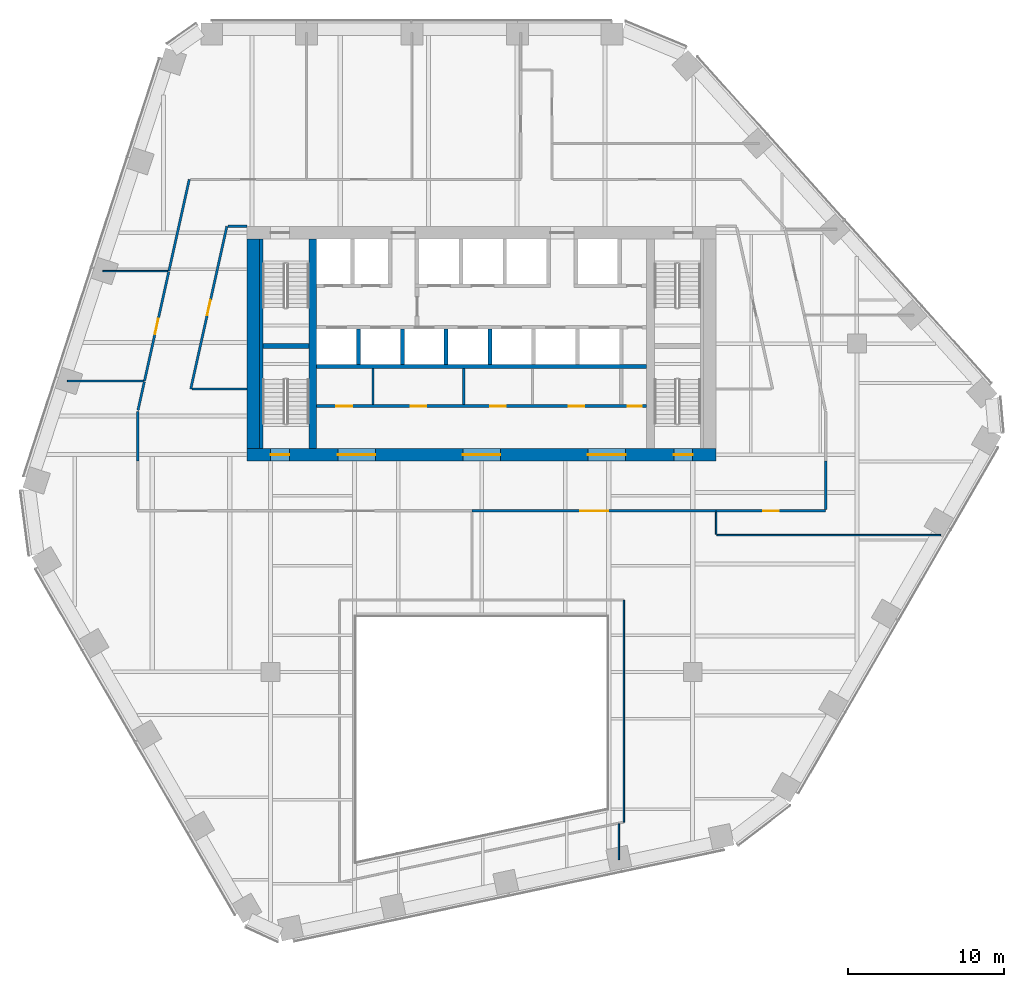
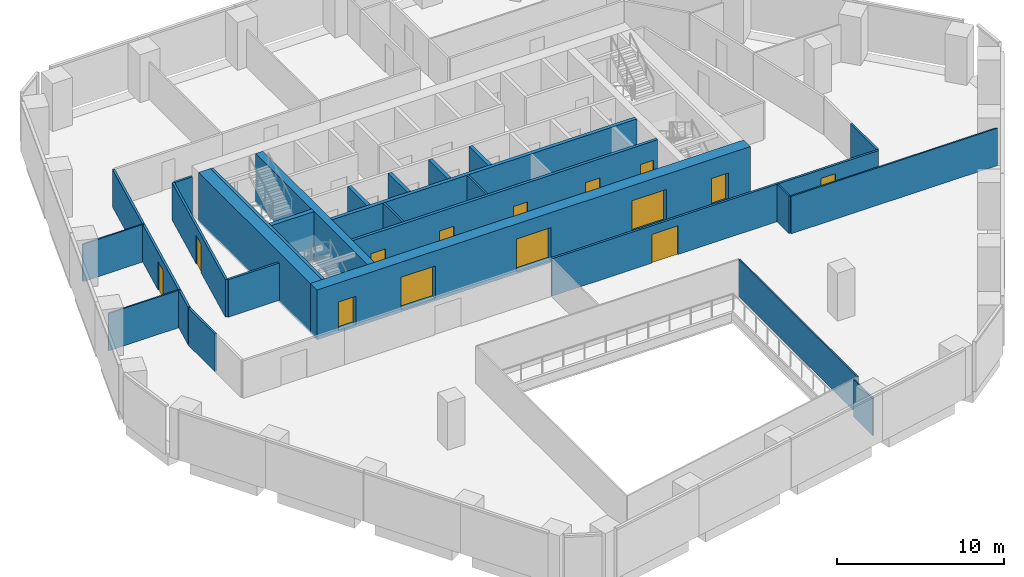
# One storey, part 11 of 16: 29 walls, 14 doors, 14 openings.
"""IFC4 building model written with IfcOpenShell, lengths in metres."""

from ifc_helpers import new_model, si_unit, direction, frame, frame_2d, origin, place, context, subcontext, project, spatial, rectangle, extrude, material, layer, layer_set, type_object, element, fill, save


model = new_model("IFC4")

# Units and contexts
model_context = context("Model", 3, precision=1e-05, world=origin(), true_north=direction((0.0, 1.0)))
body_context = subcontext(model_context, "Body", "Model", "MODEL_VIEW")
ifc_project = project(units=[si_unit("LENGTHUNIT", "METRE"), si_unit("AREAUNIT", "SQUARE_METRE"), si_unit("VOLUMEUNIT", "CUBIC_METRE"), si_unit("PLANEANGLEUNIT", "RADIAN"), si_unit("MASSUNIT", "GRAM", prefix="KILO")], contexts=[model_context])

# Site, building, storey
site_placement = place(None, origin())
site = spatial("IfcSite", under=ifc_project, at=site_placement, CompositionType="ELEMENT")
building_placement = place(site_placement, origin())
building = spatial("IfcBuilding", under=site, at=building_placement, Name="Isthmus Gate Tower", CompositionType="ELEMENT")
storey_placement = place(building_placement, frame((0.0, 0.0, 140.75)))
storey = spatial("IfcBuildingStorey", under=building, at=storey_placement, Name="L34", CompositionType="ELEMENT", Elevation=140.75)

# Wall
ifc_material_1 = material(Name="Fire-rated laminated glass in steel frame", Category="steel")
ifc_layer_1 = layer(ifc_material_1, 0.10009765625)
ifc_layer_set_1 = layer_set([ifc_layer_1], Name="ATRIUM SCREEN GLAZED WALL 100 120 MIN")
wall_type_1 = type_object("IfcWallType", Name="ATRIUM SCREEN GLAZED WALL 100 120 MIN", PredefinedType="PARTITIONING", material=ifc_layer_set_1)
wall_1_placement = place(storey_placement, frame((9.10009765625, -8.89990234375, 0.0), z_axis=(0.0, 0.0, 1.0), x_axis=(0.0, -1.0, 0.0)))
element("IfcWall", 1, at=wall_1_placement, inside=storey, type_object=wall_type_1, Name="L34 atrium screen", PredefinedType="PARTITIONING", context=body_context, shape_type="SweptSolid", body=[
    extrude(rectangle(XDim=14.200927734375, YDim=0.10009765625, at=frame_2d((7.1005859375, 0.0))), origin(), (0.0, 0.0, 1.0), 2.7412109375),
])

# Wall, opening, door
ifc_material_2 = material(Name="Gypsum board on steel studs, fire-rated", Category="steel")
ifc_layer_2 = layer(ifc_material_2, 0.14990234375)
ifc_layer_set_2 = layer_set([ifc_layer_2], Name="CORRIDOR WALL 150 60 MIN")
wall_type_2 = type_object("IfcWallType", Name="CORRIDOR WALL 150 60 MIN", PredefinedType="PARTITIONING", material=ifc_layer_set_2)
wall_2_placement = place(storey_placement, frame((15.0, -3.199951171875, 0.0), z_axis=(0.0, 0.0, 1.0), x_axis=(-1.0, 0.0, 0.0)))
wall_2 = element("IfcWall", 2, at=wall_2_placement, inside=storey, type_object=wall_type_2, Name="L34 Corridor Wall 150 60 Min", PredefinedType="PARTITIONING", context=body_context, shape_type="SweptSolid", body=[
    extrude(rectangle(XDim=15.616943359375, YDim=0.14990234375, at=frame_2d((7.80859375, 0.0))), origin(), (0.0, 0.0, 1.0), 2.7412109375),
])
opening_1_placement = place(wall_2_placement, frame((6.908447265625, 0.0, 0.0)))
opening_1 = element("IfcOpeningElement", 3, at=opening_1_placement, cuts=wall_2, Name="Opening DT-T3B-13", PredefinedType="OPENING", context=body_context, shape_type="SweptSolid", body=[
    extrude(rectangle(XDim=1.800048828125, YDim=2.10009765625, at=frame_2d((0.89990234375, 1.050048828125))), frame((0.0, 0.0849609375, 0.0), z_axis=(0.0, -1.0, 0.0), x_axis=(1.0, 0.0, 0.0)), (0.0, 0.0, 1.0), 0.169921875),
])
ifc_material_3 = material(Name="Solid core timber door leaf, fire-rated", Category="wood")
door_type_1 = type_object("IfcDoorType", Name="FIRE DOOR ROOM 1800 X 2100 60 MIN", OperationType="DOUBLE_DOOR_DOUBLE_SWING", PredefinedType="DOOR", material=ifc_material_3)
door_1_placement = place(opening_1_placement, origin())
door_1 = element("IfcDoor", 4, at=door_1_placement, inside=storey, type_object=door_type_1, Name="L34 room door", OperationType="DOUBLE_DOOR_DOUBLE_SWING", OverallHeight=2.10009765625, OverallWidth=1.800048828125, PredefinedType="DOOR", context=body_context, shape_type="SweptSolid", body=[
    extrude(rectangle(XDim=1.800048828125, YDim=2.10009765625, at=frame_2d((0.89990234375, 1.050048828125))), frame((0.0, 0.02490234375, 0.0), z_axis=(0.0, -1.0, 0.0), x_axis=(1.0, 0.0, 0.0)), (0.0, 0.0, 1.0), 0.050048828125),
])
fill(opening_1, door_1)

wall_3_placement = place(storey_placement, frame((22.0, -3.199951171875, 0.0), z_axis=(0.0, 0.0, 1.0), x_axis=(-1.0, 0.0, 0.0)))
wall_3 = element("IfcWall", 5, at=wall_3_placement, inside=storey, type_object=wall_type_2, Name="L34 Corridor Wall 150 60 Min", PredefinedType="PARTITIONING", context=body_context, shape_type="SweptSolid", body=[
    extrude(rectangle(XDim=7.0, YDim=0.14990234375, at=frame_2d((3.5, 0.0))), origin(), (0.0, 0.0, 1.0), 2.7412109375),
])
opening_2_placement = place(wall_3_placement, frame((3.0, 0.0, 0.0)))
opening_2 = element("IfcOpeningElement", 6, at=opening_2_placement, cuts=wall_3, Name="Opening DT-T3B-10", PredefinedType="OPENING", context=body_context, shape_type="SweptSolid", body=[
    extrude(rectangle(XDim=1.0, YDim=2.10009765625, at=frame_2d((0.5, 1.050048828125))), frame((0.0, 0.0849609375, 0.0), z_axis=(0.0, -1.0, 0.0), x_axis=(1.0, 0.0, 0.0)), (0.0, 0.0, 1.0), 0.169921875),
])
ifc_material_4 = material(Name="Solid core timber door leaf, fire-rated", Category="wood")
door_type_2 = type_object("IfcDoorType", Name="FIRE DOOR ROOM 1000 X 2100 60 MIN", OperationType="SINGLE_SWING_LEFT", PredefinedType="DOOR", material=ifc_material_4)
door_2_placement = place(opening_2_placement, origin())
door_2 = element("IfcDoor", 7, at=door_2_placement, inside=storey, type_object=door_type_2, Name="L34 room door", OperationType="SINGLE_SWING_RIGHT", OverallHeight=2.10009765625, OverallWidth=1.0, PredefinedType="DOOR", context=body_context, shape_type="SweptSolid", body=[
    extrude(rectangle(XDim=1.0, YDim=2.10009765625, at=frame_2d((0.5, 1.050048828125))), frame((0.0, 0.02490234375, 0.0), z_axis=(0.0, -1.0, 0.0), x_axis=(1.0, 0.0, 0.0)), (0.0, 0.0, 1.0), 0.050048828125),
])
fill(opening_2, door_2)

# Wall
wall_4_placement = place(storey_placement, frame((22.0, 0.0, 0.0), z_axis=(0.0, 0.0, 1.0), x_axis=(0.0, -1.0, 0.0)))
element("IfcWall", 8, at=wall_4_placement, inside=storey, type_object=wall_type_2, Name="L34 Corridor Wall 150 60 Min", PredefinedType="PARTITIONING", context=body_context, shape_type="SweptSolid", body=[
    extrude(rectangle(XDim=3.125, YDim=0.14990234375, at=frame_2d((1.5625, 0.0))), origin(), (0.0, 0.0, 1.0), 2.7412109375),
])

# Wall, opening, door
wall_5_placement = place(storey_placement, frame((-16.297119140625, 15.0, 0.0), z_axis=(0.0, 0.0, 1.0), x_axis=(-0.216903766867, -0.976192991124, 0.0)))
wall_5 = element("IfcWall", 9, at=wall_5_placement, inside=storey, type_object=wall_type_2, Name="L34 Corridor Wall 150 60 Min", PredefinedType="PARTITIONING", context=body_context, shape_type="SweptSolid", body=[
    extrude(rectangle(XDim=10.653564453125, YDim=0.14990234375, at=frame_2d((5.32666015625, 0.0))), origin(), (0.0, 0.0, 1.0), 2.7412109375),
])
opening_3_placement = place(wall_5_placement, frame((4.826904296875, 0.0, 0.0)))
opening_3 = element("IfcOpeningElement", 10, at=opening_3_placement, cuts=wall_5, Name="Opening DT-T3B-08", PredefinedType="OPENING", context=body_context, shape_type="SweptSolid", body=[
    extrude(rectangle(XDim=1.0, YDim=2.10009765625, at=frame_2d((0.5, 1.050048828125))), frame((0.0, 0.0849609375, 0.0), z_axis=(0.0, -1.0, 0.0), x_axis=(1.0, 0.0, 0.0)), (0.0, 0.0, 1.0), 0.169921875),
])
door_3_placement = place(opening_3_placement, origin())
door_3 = element("IfcDoor", 11, at=door_3_placement, inside=storey, type_object=door_type_2, Name="L34 room door", OperationType="SINGLE_SWING_RIGHT", OverallHeight=2.10009765625, OverallWidth=1.0, PredefinedType="DOOR", context=body_context, shape_type="SweptSolid", body=[
    extrude(rectangle(XDim=1.0, YDim=2.10009765625, at=frame_2d((0.5, 1.050048828125))), frame((0.0, 0.02490234375, 0.0), z_axis=(0.0, -1.0, 0.0), x_axis=(1.0, 0.0, 0.0)), (0.0, 0.0, 1.0), 0.050048828125),
])
fill(opening_3, door_3)

# Walls
wall_6_placement = place(storey_placement, frame((-15.0, 15.0, 0.0), z_axis=(0.0, 0.0, 1.0), x_axis=(-1.0, 0.0, 0.0)))
element("IfcWall", 12, at=wall_6_placement, inside=storey, type_object=wall_type_2, Name="L34 Corridor Wall 150 60 Min", PredefinedType="PARTITIONING", context=body_context, shape_type="SweptSolid", body=[
    extrude(rectangle(XDim=1.221923828125, YDim=0.14990234375, at=frame_2d((0.61083984375, 0.0))), origin(), (0.0, 0.0, 1.0), 2.7412109375),
])
wall_7_placement = place(storey_placement, frame((-20.0048828125, 12.14111328125, 0.0), z_axis=(0.0, 0.0, 1.0), x_axis=(0.216934764879, 0.976186103049, 0.0)))
element("IfcWall", 13, at=wall_7_placement, inside=storey, type_object=wall_type_2, Name="L34 Corridor Wall 150 60 Min", PredefinedType="PARTITIONING", context=body_context, shape_type="SweptSolid", body=[
    extrude(rectangle(XDim=6.001708984375, YDim=0.14990234375, at=frame_2d((3.0009765625, 0.0))), origin(), (0.0, 0.0, 1.0), 2.7412109375),
])

# Wall, opening, door
wall_8_placement = place(storey_placement, frame((-21.56689453125, 5.111083984375, 0.0), z_axis=(0.0, 0.0, 1.0), x_axis=(0.216883466585, 0.976197501494, 0.0)))
wall_8 = element("IfcWall", 14, at=wall_8_placement, inside=storey, type_object=wall_type_2, Name="L34 Corridor Wall 150 60 Min", PredefinedType="PARTITIONING", context=body_context, shape_type="SweptSolid", body=[
    extrude(rectangle(XDim=7.1513671875, YDim=0.14990234375, at=frame_2d((3.57568359375, 0.0))), origin(), (0.0, 0.0, 1.0), 2.7412109375),
])
opening_4_placement = place(wall_8_placement, frame((3.07568359375, 0.0, 0.0)))
opening_4 = element("IfcOpeningElement", 15, at=opening_4_placement, cuts=wall_8, Name="Opening DT-T3B-07", PredefinedType="OPENING", context=body_context, shape_type="SweptSolid", body=[
    extrude(rectangle(XDim=1.0, YDim=2.10009765625, at=frame_2d((0.5, 1.050048828125))), frame((0.0, 0.0849609375, 0.0), z_axis=(0.0, -1.0, 0.0), x_axis=(1.0, 0.0, 0.0)), (0.0, 0.0, 1.0), 0.169921875),
])
door_4_placement = place(opening_4_placement, origin())
door_4 = element("IfcDoor", 16, at=door_4_placement, inside=storey, type_object=door_type_2, Name="L34 room door", OperationType="SINGLE_SWING_RIGHT", OverallHeight=2.10009765625, OverallWidth=1.0, PredefinedType="DOOR", context=body_context, shape_type="SweptSolid", body=[
    extrude(rectangle(XDim=1.0, YDim=2.10009765625, at=frame_2d((0.5, 1.050048828125))), frame((0.0, 0.02490234375, 0.0), z_axis=(0.0, -1.0, 0.0), x_axis=(1.0, 0.0, 0.0)), (0.0, 0.0, 1.0), 0.050048828125),
])
fill(opening_4, door_4)

# Walls
wall_9_placement = place(storey_placement, frame((-18.532958984375, 4.60009765625, 0.0), z_axis=(0.0, 0.0, 1.0), x_axis=(1.0, 0.0, 0.0)))
element("IfcWall", 17, at=wall_9_placement, inside=storey, type_object=wall_type_2, Name="L34 Corridor Wall 150 60 Min", PredefinedType="PARTITIONING", context=body_context, shape_type="SweptSolid", body=[
    extrude(rectangle(XDim=3.532958984375, YDim=0.14990234375, at=frame_2d((1.7666015625, 0.0))), origin(), (0.0, 0.0, 1.0), 2.7412109375),
])
wall_10_placement = place(storey_placement, frame((-22.0, 0.0, 0.0), z_axis=(0.0, 0.0, 1.0), x_axis=(0.0, 1.0, 0.0)))
element("IfcWall", 18, at=wall_10_placement, inside=storey, type_object=wall_type_2, Name="L34 Corridor Wall 150 60 Min", PredefinedType="PARTITIONING", context=body_context, shape_type="SweptSolid", body=[
    extrude(rectangle(XDim=3.1650390625, YDim=0.14990234375, at=frame_2d((1.58251953125, 0.0))), origin(), (0.0, 0.0, 1.0), 2.7412109375),
])
wall_11_placement = place(storey_placement, frame((-21.983642578125, 3.23828125, 0.0), z_axis=(0.0, 0.0, 1.0), x_axis=(0.217151800435, 0.976137846601, 0.0)))
element("IfcWall", 19, at=wall_11_placement, inside=storey, type_object=wall_type_2, Name="L34 Corridor Wall 150 60 Min", PredefinedType="PARTITIONING", context=body_context, shape_type="SweptSolid", body=[
    extrude(rectangle(XDim=1.86865234375, YDim=0.14990234375, at=frame_2d((0.934326171875, 0.0))), origin(), (0.0, 0.0, 1.0), 2.7412109375),
])
ifc_material_5 = material(Name="Concrete f'c 60 MPa", Category="concrete")
ifc_layer_3 = layer(ifc_material_5, 0.5)
ifc_layer_set_3 = layer_set([ifc_layer_3], Name="RC CORE SPINE WALL 500 F'C 60")
wall_type_3 = type_object("IfcWallType", Name="RC CORE SPINE WALL 500 F'C 60", PredefinedType="SOLIDWALL", material=ifc_layer_set_3)
wall_12_placement = place(storey_placement, frame((-10.800048828125, 0.800048828125, -0.14990234375), z_axis=(0.0, 0.0, 1.0), x_axis=(0.0, 1.0, 0.0)))
element("IfcWall", 20, at=wall_12_placement, inside=storey, type_object=wall_type_3, Name="str-corewall-L34-SPW", PredefinedType="SOLIDWALL", context=body_context, shape_type="SweptSolid", body=[
    extrude(rectangle(XDim=13.39990234375, YDim=0.5, at=frame_2d((6.699951171875, 0.0))), origin(), (0.0, 0.0, 1.0), 3.64990234375),
])

# Wall, openings, doors
ifc_material_6 = material(Name="Concrete f'c 60 MPa", Category="concrete")
ifc_layer_4 = layer(ifc_material_6, 0.800048828125)
ifc_layer_set_4 = layer_set([ifc_layer_4], Name="RC CORE WALL 800 F'C 60")
wall_type_4 = type_object("IfcWallType", Name="RC CORE WALL 800 F'C 60", PredefinedType="SOLIDWALL", material=ifc_layer_set_4)
wall_13_placement = place(storey_placement, frame((-15.0, 0.39990234375, -0.14990234375), z_axis=(0.0, 0.0, 1.0), x_axis=(1.0, 0.0, 0.0)))
wall_13 = element("IfcWall", 21, at=wall_13_placement, inside=storey, type_object=wall_type_4, Name="str-corewall-L34-S", PredefinedType="SOLIDWALL", context=body_context, shape_type="SweptSolid", body=[
    extrude(rectangle(XDim=30.0, YDim=0.800048828125, at=frame_2d((15.0, 0.0))), origin(), (0.0, 0.0, 1.0), 3.64990234375),
])
opening_5_placement = place(wall_13_placement, frame((5.800048828125, 0.0, 0.14990234375)))
opening_5 = element("IfcOpeningElement", 22, at=opening_5_placement, cuts=wall_13, Name="Opening DC-A13-09", PredefinedType="OPENING", context=body_context, shape_type="SweptSolid", body=[
    extrude(rectangle(XDim=2.39990234375, YDim=2.39990234375, at=frame_2d((1.199951171875, 1.199951171875))), frame((0.0, 0.409912109375, 0.0), z_axis=(0.0, -1.0, 0.0), x_axis=(1.0, 0.0, 0.0)), (0.0, 0.0, 1.0), 0.820068359375),
])
opening_6_placement = place(wall_13_placement, frame((13.800048828125, 0.0, 0.14990234375)))
opening_6 = element("IfcOpeningElement", 23, at=opening_6_placement, cuts=wall_13, Name="Opening DC-A13-10", PredefinedType="OPENING", context=body_context, shape_type="SweptSolid", body=[
    extrude(rectangle(XDim=2.39990234375, YDim=2.39990234375, at=frame_2d((1.199951171875, 1.199951171875))), frame((0.0, 0.409912109375, 0.0), z_axis=(0.0, -1.0, 0.0), x_axis=(1.0, 0.0, 0.0)), (0.0, 0.0, 1.0), 0.820068359375),
])
opening_7_placement = place(wall_13_placement, frame((21.800048828125, 0.0, 0.14990234375)))
opening_7 = element("IfcOpeningElement", 24, at=opening_7_placement, cuts=wall_13, Name="Opening DC-A13-11", PredefinedType="OPENING", context=body_context, shape_type="SweptSolid", body=[
    extrude(rectangle(XDim=2.39990234375, YDim=2.39990234375, at=frame_2d((1.199951171875, 1.199951171875))), frame((0.0, 0.409912109375, 0.0), z_axis=(0.0, -1.0, 0.0), x_axis=(1.0, 0.0, 0.0)), (0.0, 0.0, 1.0), 0.820068359375),
])
opening_8_placement = place(wall_13_placement, frame((1.5, 0.0, 0.14990234375)))
opening_8 = element("IfcOpeningElement", 25, at=opening_8_placement, cuts=wall_13, Name="Opening DC-A13-16", PredefinedType="OPENING", context=body_context, shape_type="SweptSolid", body=[
    extrude(rectangle(XDim=1.199951171875, YDim=2.10009765625, at=frame_2d((0.60009765625, 1.050048828125))), frame((0.0, 0.409912109375, 0.0), z_axis=(0.0, -1.0, 0.0), x_axis=(1.0, 0.0, 0.0)), (0.0, 0.0, 1.0), 0.820068359375),
])
opening_9_placement = place(wall_13_placement, frame((27.300048828125, 0.0, 0.14990234375)))
opening_9 = element("IfcOpeningElement", 26, at=opening_9_placement, cuts=wall_13, Name="Opening DC-A13-17", PredefinedType="OPENING", context=body_context, shape_type="SweptSolid", body=[
    extrude(rectangle(XDim=1.199951171875, YDim=2.10009765625, at=frame_2d((0.60009765625, 1.050048828125))), frame((0.0, 0.409912109375, 0.0), z_axis=(0.0, -1.0, 0.0), x_axis=(1.0, 0.0, 0.0)), (0.0, 0.0, 1.0), 0.820068359375),
])
ifc_material_7 = material(Name="Laminated safety glass in steel frame, fire-rated", Category="steel")
door_type_3 = type_object("IfcDoorType", Name="LOBBY ENTRANCE FIRE DOOR 2400 X 2400 60 MIN", OperationType="DOUBLE_DOOR_DOUBLE_SWING", PredefinedType="DOOR", material=ifc_material_7)
door_5_placement = place(opening_5_placement, origin())
door_5 = element("IfcDoor", 27, at=door_5_placement, inside=storey, type_object=door_type_3, Name="Lobby Entrance PS-W", OperationType="DOUBLE_DOOR_DOUBLE_SWING", OverallHeight=2.39990234375, OverallWidth=2.39990234375, PredefinedType="DOOR", context=body_context, shape_type="SweptSolid", body=[
    extrude(rectangle(XDim=2.39990234375, YDim=2.39990234375, at=frame_2d((1.199951171875, 1.199951171875))), frame((0.0, 0.02490234375, 0.0), z_axis=(0.0, -1.0, 0.0), x_axis=(1.0, 0.0, 0.0)), (0.0, 0.0, 1.0), 0.050048828125),
])
fill(opening_5, door_5)
door_6_placement = place(opening_6_placement, origin())
door_6 = element("IfcDoor", 28, at=door_6_placement, inside=storey, type_object=door_type_3, Name="Lobby Entrance PS-C", OperationType="DOUBLE_DOOR_DOUBLE_SWING", OverallHeight=2.39990234375, OverallWidth=2.39990234375, PredefinedType="DOOR", context=body_context, shape_type="SweptSolid", body=[
    extrude(rectangle(XDim=2.39990234375, YDim=2.39990234375, at=frame_2d((1.199951171875, 1.199951171875))), frame((0.0, 0.02490234375, 0.0), z_axis=(0.0, -1.0, 0.0), x_axis=(1.0, 0.0, 0.0)), (0.0, 0.0, 1.0), 0.050048828125),
])
fill(opening_6, door_6)
door_7_placement = place(opening_7_placement, origin())
door_7 = element("IfcDoor", 29, at=door_7_placement, inside=storey, type_object=door_type_3, Name="Lobby Entrance PS-E", OperationType="DOUBLE_DOOR_DOUBLE_SWING", OverallHeight=2.39990234375, OverallWidth=2.39990234375, PredefinedType="DOOR", context=body_context, shape_type="SweptSolid", body=[
    extrude(rectangle(XDim=2.39990234375, YDim=2.39990234375, at=frame_2d((1.199951171875, 1.199951171875))), frame((0.0, 0.02490234375, 0.0), z_axis=(0.0, -1.0, 0.0), x_axis=(1.0, 0.0, 0.0)), (0.0, 0.0, 1.0), 0.050048828125),
])
fill(opening_7, door_7)
ifc_material_8 = material(Name="Steel door leaf, fire-rated", Category="steel")
door_type_4 = type_object("IfcDoorType", Name="STAIR FIRE DOOR 1200 X 2100 90 MIN", OperationType="SINGLE_SWING_LEFT", PredefinedType="DOOR", material=ifc_material_8)
door_8_placement = place(opening_8_placement, origin())
door_8 = element("IfcDoor", 30, at=door_8_placement, inside=storey, type_object=door_type_4, Name="Exit Stair 7 Door", OperationType="SINGLE_SWING_LEFT", OverallHeight=2.10009765625, OverallWidth=1.199951171875, PredefinedType="DOOR", context=body_context, shape_type="SweptSolid", body=[
    extrude(rectangle(XDim=1.199951171875, YDim=2.10009765625, at=frame_2d((0.60009765625, 1.050048828125))), frame((0.0, 0.02490234375, 0.0), z_axis=(0.0, -1.0, 0.0), x_axis=(1.0, 0.0, 0.0)), (0.0, 0.0, 1.0), 0.050048828125),
])
fill(opening_8, door_8)
door_9_placement = place(opening_9_placement, origin())
door_9 = element("IfcDoor", 31, at=door_9_placement, inside=storey, type_object=door_type_4, Name="Exit Stair 8 Door", OperationType="SINGLE_SWING_RIGHT", OverallHeight=2.10009765625, OverallWidth=1.199951171875, PredefinedType="DOOR", context=body_context, shape_type="SweptSolid", body=[
    extrude(rectangle(XDim=1.199951171875, YDim=2.10009765625, at=frame_2d((0.60009765625, 1.050048828125))), frame((0.0, 0.02490234375, 0.0), z_axis=(0.0, -1.0, 0.0), x_axis=(1.0, 0.0, 0.0)), (0.0, 0.0, 1.0), 0.050048828125),
])
fill(opening_9, door_9)

# Walls
wall_14_placement = place(storey_placement, frame((-14.60009765625, 0.800048828125, -0.14990234375), z_axis=(0.0, 0.0, 1.0), x_axis=(0.0, 1.0, 0.0)))
element("IfcWall", 32, at=wall_14_placement, inside=storey, type_object=wall_type_4, Name="str-corewall-L34-W", PredefinedType="SOLIDWALL", context=body_context, shape_type="SweptSolid", body=[
    extrude(rectangle(XDim=13.39990234375, YDim=0.800048828125, at=frame_2d((6.699951171875, 0.0))), origin(), (0.0, 0.0, 1.0), 3.64990234375),
])
ifc_material_9 = material(Name="Gypsum board on steel studs, fire-rated", Category="steel")
ifc_layer_5 = layer(ifc_material_9, 0.10009765625)
ifc_layer_set_5 = layer_set([ifc_layer_5], Name="ROOM PARTITION 100 30 MIN")
wall_type_5 = type_object("IfcWallType", Name="ROOM PARTITION 100 30 MIN", PredefinedType="PARTITIONING", material=ifc_layer_set_5)
wall_15_placement = place(storey_placement, frame((-24.221923828125, 12.14111328125, 0.0), z_axis=(0.0, 0.0, 1.0), x_axis=(1.0, 0.0, 0.0)))
element("IfcWall", 33, at=wall_15_placement, inside=storey, type_object=wall_type_5, Name="L34 Room Partition 100 30 Min", PredefinedType="PARTITIONING", context=body_context, shape_type="SweptSolid", body=[
    extrude(rectangle(XDim=4.141845703125, YDim=0.10009765625, at=frame_2d((2.07080078125, 0.0))), origin(), (0.0, 0.0, 1.0), 2.7412109375),
])
wall_16_placement = place(storey_placement, frame((-26.506103515625, 5.111083984375, 0.0), z_axis=(0.0, 0.0, 1.0), x_axis=(1.0, 0.0, 0.0)))
element("IfcWall", 34, at=wall_16_placement, inside=storey, type_object=wall_type_5, Name="L34 Room Partition 100 30 Min", PredefinedType="PARTITIONING", context=body_context, shape_type="SweptSolid", body=[
    extrude(rectangle(XDim=4.863037109375, YDim=0.10009765625, at=frame_2d((2.431640625, 0.0))), origin(), (0.0, 0.0, 1.0), 2.7412109375),
])
wall_17_placement = place(storey_placement, frame((15.050048828125, -4.75, 0.0), z_axis=(0.0, 0.0, 1.0), x_axis=(1.0, 0.0, 0.0)))
element("IfcWall", 35, at=wall_17_placement, inside=storey, type_object=wall_type_5, Name="L34 Room Partition 100 30 Min", PredefinedType="PARTITIONING", context=body_context, shape_type="SweptSolid", body=[
    extrude(rectangle(XDim=14.31396484375, YDim=0.10009765625, at=frame_2d((7.156982421875, 0.0))), origin(), (0.0, 0.0, 1.0), 2.7412109375),
])
wall_18_placement = place(storey_placement, frame((8.77392578125, -25.52197265625, 0.0), z_axis=(0.0, 0.0, 1.0), x_axis=(0.0, 1.0, 0.0)))
element("IfcWall", 36, at=wall_18_placement, inside=storey, type_object=wall_type_5, Name="L34 Room Partition 100 30 Min", PredefinedType="PARTITIONING", context=body_context, shape_type="SweptSolid", body=[
    extrude(rectangle(XDim=2.301025390625, YDim=0.10009765625, at=frame_2d((1.150390625, 0.0))), origin(), (0.0, 0.0, 1.0), 2.7412109375),
])
wall_19_placement = place(storey_placement, frame((15.0, -4.699951171875, 0.0), z_axis=(0.0, 0.0, 1.0), x_axis=(0.0, 1.0, 0.0)))
element("IfcWall", 37, at=wall_19_placement, inside=storey, type_object=wall_type_5, Name="L34 Room Partition 100 30 Min", PredefinedType="PARTITIONING", context=body_context, shape_type="SweptSolid", body=[
    extrude(rectangle(XDim=1.425048828125, YDim=0.10009765625, at=frame_2d((0.71240234375, 0.0))), origin(), (0.0, 0.0, 1.0), 2.7412109375),
])
ifc_material_10 = material(Name="Gypsum board on steel studs, fire-rated", Category="steel")
ifc_layer_6 = layer(ifc_material_10, 0.14990234375)
ifc_layer_set_6 = layer_set([ifc_layer_6], Name="ROOM PARTITION 150 60 MIN")
wall_type_6 = type_object("IfcWallType", Name="ROOM PARTITION 150 60 MIN", PredefinedType="PARTITIONING", material=ifc_layer_set_6)
for number, where, z_axis, x_axis, name in (
    (38, (-6.949951171875, 3.60009765625, 0.0), (0.0, 0.0, 1.0), (0.0, 1.0, 0.0), "L34 ROOM PARTITION 150 60 MIN"),
    (39, (-1.14990234375, 3.60009765625, 0.0), (0.0, 0.0, 1.0), (0.0, 1.0, 0.0), "L34 ROOM PARTITION 150 60 MIN"),
):
    element("IfcWall", number, at=place(storey_placement, frame(where, z_axis=z_axis, x_axis=x_axis)), inside=storey, type_object=wall_type_6, Name=name, PredefinedType="PARTITIONING", context=body_context, shape_type="SweptSolid", body=[
        extrude(rectangle(XDim=2.2998046875, YDim=0.14990234375, at=frame_2d((1.14990234375, 0.0))), origin(), (0.0, 0.0, 1.0), 3.5),
    ])

# Wall, openings, doors
ifc_material_11 = material(Name="Fire-rated blockwork masonry, 15 MPa", Category="masonry")
ifc_layer_7 = layer(ifc_material_11, 0.199951171875)
ifc_layer_set_7 = layer_set([ifc_layer_7], Name="SHAFT FRONT WALL 200 120 MIN")
wall_type_7 = type_object("IfcWallType", Name="SHAFT FRONT WALL 200 120 MIN", PredefinedType="PARTITIONING", material=ifc_layer_set_7)
wall_20_placement = place(storey_placement, frame((-10.550048828125, 3.5, 0.0), z_axis=(0.0, 0.0, 1.0), x_axis=(1.0, 0.0, 0.0)))
wall_20 = element("IfcWall", 40, at=wall_20_placement, inside=storey, type_object=wall_type_7, Name="L34 SHAFT FRONT WALL 200 120 MIN", PredefinedType="PARTITIONING", context=body_context, shape_type="SweptSolid", body=[
    extrude(rectangle(XDim=21.10009765625, YDim=0.199951171875, at=frame_2d((10.550048828125, 0.0))), origin(), (0.0, 0.0, 1.0), 3.5),
])
opening_10_placement = place(wall_20_placement, frame((1.262451171875, 0.0, 0.0)))
opening_10 = element("IfcOpeningElement", 41, at=opening_10_placement, cuts=wall_20, Name="Opening DC-A13-02", PredefinedType="OPENING", context=body_context, shape_type="SweptSolid", body=[
    extrude(rectangle(XDim=1.0, YDim=2.10009765625, at=frame_2d((0.5, 1.050048828125))), frame((0.0, 0.10986328125, 0.0), z_axis=(0.0, -1.0, 0.0), x_axis=(1.0, 0.0, 0.0)), (0.0, 0.0, 1.0), 0.219970703125),
])
opening_11_placement = place(wall_20_placement, frame((6.0, 0.0, 0.0)))
opening_11 = element("IfcOpeningElement", 42, at=opening_11_placement, cuts=wall_20, Name="Opening DC-A13-03", PredefinedType="OPENING", context=body_context, shape_type="SweptSolid", body=[
    extrude(rectangle(XDim=1.0, YDim=2.10009765625, at=frame_2d((0.5, 1.050048828125))), frame((0.0, 0.10986328125, 0.0), z_axis=(0.0, -1.0, 0.0), x_axis=(1.0, 0.0, 0.0)), (0.0, 0.0, 1.0), 0.219970703125),
])
opening_12_placement = place(wall_20_placement, frame((11.10009765625, 0.0, 0.0)))
opening_12 = element("IfcOpeningElement", 43, at=opening_12_placement, cuts=wall_20, Name="Opening DC-A13-04", PredefinedType="OPENING", context=body_context, shape_type="SweptSolid", body=[
    extrude(rectangle(XDim=1.0, YDim=2.10009765625, at=frame_2d((0.5, 1.050048828125))), frame((0.0, 0.10986328125, 0.0), z_axis=(0.0, -1.0, 0.0), x_axis=(1.0, 0.0, 0.0)), (0.0, 0.0, 1.0), 0.219970703125),
])
opening_13_placement = place(wall_20_placement, frame((16.112548828125, 0.0, 0.0)))
opening_13 = element("IfcOpeningElement", 44, at=opening_13_placement, cuts=wall_20, Name="Opening DC-A13-05", PredefinedType="OPENING", context=body_context, shape_type="SweptSolid", body=[
    extrude(rectangle(XDim=1.0, YDim=2.10009765625, at=frame_2d((0.5, 1.050048828125))), frame((0.0, 0.10986328125, 0.0), z_axis=(0.0, -1.0, 0.0), x_axis=(1.0, 0.0, 0.0)), (0.0, 0.0, 1.0), 0.219970703125),
])
opening_14_placement = place(wall_20_placement, frame((19.89990234375, 0.0, 0.0)))
opening_14 = element("IfcOpeningElement", 45, at=opening_14_placement, cuts=wall_20, Name="Opening DC-A13-06", PredefinedType="OPENING", context=body_context, shape_type="SweptSolid", body=[
    extrude(rectangle(XDim=0.89990234375, YDim=2.10009765625, at=frame_2d((0.449951171875, 1.050048828125))), frame((0.0, 0.10986328125, 0.0), z_axis=(0.0, -1.0, 0.0), x_axis=(1.0, 0.0, 0.0)), (0.0, 0.0, 1.0), 0.219970703125),
])
ifc_material_12 = material(Name="Steel door leaf, fire-rated", Category="steel")
door_type_5 = type_object("IfcDoorType", Name="FIRE DOOR 1000 X 2100 60 MIN", OperationType="SINGLE_SWING_LEFT", PredefinedType="DOOR", material=ifc_material_12)
door_10_placement = place(opening_10_placement, origin())
door_10 = element("IfcDoor", 46, at=door_10_placement, inside=storey, type_object=door_type_5, Name="Accessible WC Door", OperationType="SINGLE_SWING_LEFT", OverallHeight=2.10009765625, OverallWidth=1.0, PredefinedType="DOOR", context=body_context, shape_type="SweptSolid", body=[
    extrude(rectangle(XDim=1.0, YDim=2.10009765625, at=frame_2d((0.5, 1.050048828125))), frame((0.0, 0.02490234375, 0.0), z_axis=(0.0, -1.0, 0.0), x_axis=(1.0, 0.0, 0.0)), (0.0, 0.0, 1.0), 0.050048828125),
])
fill(opening_10, door_10)
door_11_placement = place(opening_11_placement, origin())
door_11 = element("IfcDoor", 47, at=door_11_placement, inside=storey, type_object=door_type_5, Name="WC Women Door", OperationType="SINGLE_SWING_RIGHT", OverallHeight=2.10009765625, OverallWidth=1.0, PredefinedType="DOOR", context=body_context, shape_type="SweptSolid", body=[
    extrude(rectangle(XDim=1.0, YDim=2.10009765625, at=frame_2d((0.5, 1.050048828125))), frame((0.0, 0.02490234375, 0.0), z_axis=(0.0, -1.0, 0.0), x_axis=(1.0, 0.0, 0.0)), (0.0, 0.0, 1.0), 0.050048828125),
])
fill(opening_11, door_11)
door_12_placement = place(opening_12_placement, origin())
door_12 = element("IfcDoor", 48, at=door_12_placement, inside=storey, type_object=door_type_5, Name="WC Men Door", OperationType="SINGLE_SWING_LEFT", OverallHeight=2.10009765625, OverallWidth=1.0, PredefinedType="DOOR", context=body_context, shape_type="SweptSolid", body=[
    extrude(rectangle(XDim=1.0, YDim=2.10009765625, at=frame_2d((0.5, 1.050048828125))), frame((0.0, 0.02490234375, 0.0), z_axis=(0.0, -1.0, 0.0), x_axis=(1.0, 0.0, 0.0)), (0.0, 0.0, 1.0), 0.050048828125),
])
fill(opening_12, door_12)
door_13_placement = place(opening_13_placement, origin())
door_13 = element("IfcDoor", 49, at=door_13_placement, inside=storey, type_object=door_type_5, Name="Staff Room Door", OperationType="SINGLE_SWING_RIGHT", OverallHeight=2.10009765625, OverallWidth=1.0, PredefinedType="DOOR", context=body_context, shape_type="SweptSolid", body=[
    extrude(rectangle(XDim=1.0, YDim=2.10009765625, at=frame_2d((0.5, 1.050048828125))), frame((0.0, 0.02490234375, 0.0), z_axis=(0.0, -1.0, 0.0), x_axis=(1.0, 0.0, 0.0)), (0.0, 0.0, 1.0), 0.050048828125),
])
fill(opening_13, door_13)
ifc_material_13 = material(Name="Steel door leaf, fire-rated", Category="steel")
door_type_6 = type_object("IfcDoorType", Name="RISER FIRE DOOR 900 X 2100 90 MIN", OperationType="SINGLE_SWING_LEFT", PredefinedType="DOOR", material=ifc_material_13)
door_14_placement = place(opening_14_placement, origin())
door_14 = element("IfcDoor", 50, at=door_14_placement, inside=storey, type_object=door_type_6, Name="Riser Door", OperationType="SINGLE_SWING_RIGHT", OverallHeight=2.10009765625, OverallWidth=0.89990234375, PredefinedType="DOOR", context=body_context, shape_type="SweptSolid", body=[
    extrude(rectangle(XDim=0.89990234375, YDim=2.10009765625, at=frame_2d((0.449951171875, 1.050048828125))), frame((0.0, 0.02490234375, 0.0), z_axis=(0.0, -1.0, 0.0), x_axis=(1.0, 0.0, 0.0)), (0.0, 0.0, 1.0), 0.050048828125),
])
fill(opening_14, door_14)

# Walls
ifc_material_14 = material(Name="Fire-rated blockwork masonry, 15 MPa", Category="masonry")
ifc_layer_8 = layer(ifc_material_14, 0.25)
ifc_layer_set_8 = layer_set([ifc_layer_8], Name="SHAFT WALL 250 120 MIN")
wall_type_8 = type_object("IfcWallType", Name="SHAFT WALL 250 120 MIN", PredefinedType="PARTITIONING", material=ifc_layer_set_8)
wall_21_placement = place(storey_placement, frame((-10.550048828125, 6.02490234375, 0.0), z_axis=(0.0, 0.0, 1.0), x_axis=(1.0, 0.0, 0.0)))
element("IfcWall", 51, at=wall_21_placement, inside=storey, type_object=wall_type_8, Name="L34 SHAFT WALL 250 120 MIN", PredefinedType="PARTITIONING", context=body_context, shape_type="SweptSolid", body=[
    extrude(rectangle(XDim=21.10009765625, YDim=0.25, at=frame_2d((10.550048828125, 0.0))), origin(), (0.0, 0.0, 1.0), 3.5),
])
for number, where, z_axis, x_axis, name in (
    (52, (-7.875, 6.14990234375, 0.0), (0.0, 0.0, 1.0), (0.0, 1.0, 0.0), "L34 SHAFT WALL 250 120 MIN"),
    (53, (-5.074951171875, 6.14990234375, 0.0), (0.0, 0.0, 1.0), (0.0, 1.0, 0.0), "L34 SHAFT WALL 250 120 MIN"),
    (54, (-2.27490234375, 6.14990234375, 0.0), (0.0, 0.0, 1.0), (0.0, 1.0, 0.0), "L34 SHAFT WALL 250 120 MIN"),
    (55, (0.52490234375, 6.14990234375, 0.0), (0.0, 0.0, 1.0), (0.0, 1.0, 0.0), "L34 SHAFT WALL 250 120 MIN"),
):
    element("IfcWall", number, at=place(storey_placement, frame(where, z_axis=z_axis, x_axis=x_axis)), inside=storey, type_object=wall_type_8, Name=name, PredefinedType="PARTITIONING", context=body_context, shape_type="SweptSolid", body=[
        extrude(rectangle(XDim=2.300048828125, YDim=0.25, at=frame_2d((1.14990234375, 0.0))), origin(), (0.0, 0.0, 1.0), 3.5),
    ])
ifc_material_15 = material(Name="Concrete f'c 40 MPa", Category="concrete")
ifc_layer_9 = layer(ifc_material_15, 0.199951171875)
ifc_layer_set_9 = layer_set([ifc_layer_9], Name="STAIR ENCLOSURE WALL 200 180 MIN")
wall_type_9 = type_object("IfcWallType", Name="STAIR ENCLOSURE WALL 200 180 MIN", PredefinedType="SOLIDWALL", material=ifc_layer_set_9)
wall_22_placement = place(storey_placement, frame((-14.10009765625, 0.800048828125, 0.0), z_axis=(0.0, 0.0, 1.0), x_axis=(0.0, 1.0, 0.0)))
element("IfcWall", 56, at=wall_22_placement, inside=storey, type_object=wall_type_9, Name="L34 STAIR ENCLOSURE WALL 200 180 MIN", PredefinedType="SOLIDWALL", context=body_context, shape_type="SweptSolid", body=[
    extrude(rectangle(XDim=13.39990234375, YDim=0.199951171875, at=frame_2d((6.699951171875, 0.0))), origin(), (0.0, 0.0, 1.0), 3.5),
])
ifc_material_16 = material(Name="Concrete f'c 40 MPa", Category="concrete")
ifc_layer_10 = layer(ifc_material_16, 0.300048828125)
ifc_layer_set_10 = layer_set([ifc_layer_10], Name="STAIR ENCLOSURE WALL 300 180 MIN")
wall_type_10 = type_object("IfcWallType", Name="STAIR ENCLOSURE WALL 300 180 MIN", PredefinedType="SOLIDWALL", material=ifc_layer_set_10)
wall_23_placement = place(storey_placement, frame((-14.0, 7.35009765625, 0.0), z_axis=(0.0, 0.0, 1.0), x_axis=(1.0, 0.0, 0.0)))
element("IfcWall", 57, at=wall_23_placement, inside=storey, type_object=wall_type_10, Name="L34 STAIR ENCLOSURE WALL 300 180 MIN", PredefinedType="SOLIDWALL", context=body_context, shape_type="SweptSolid", body=[
    extrude(rectangle(XDim=2.949951171875, YDim=0.300048828125, at=frame_2d((1.47509765625, 0.0))), origin(), (0.0, 0.0, 1.0), 3.5),
])

save(model, "model.ifc")
